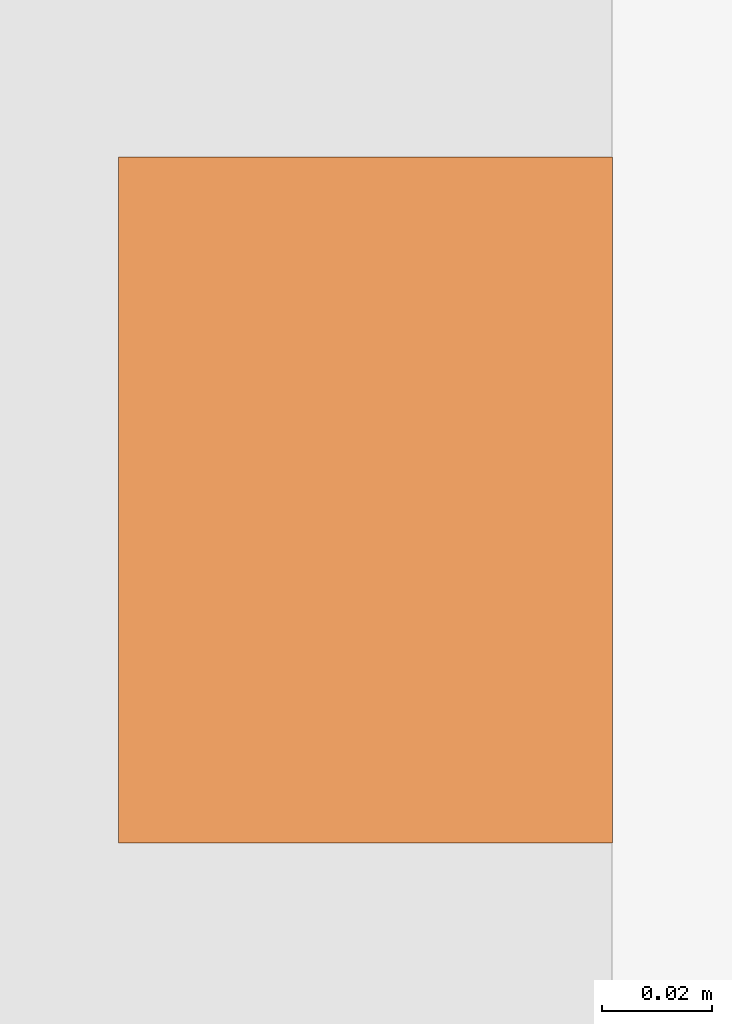
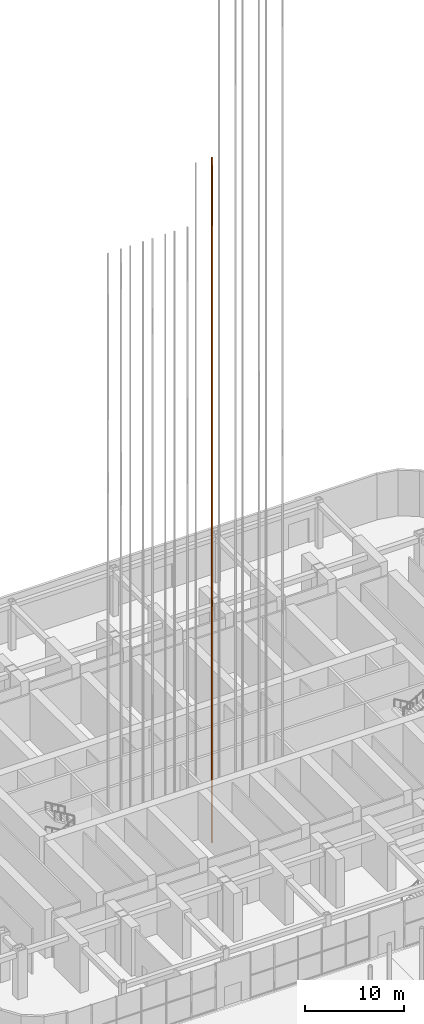
# One storey, part 51 of 57: 1 proxy.
"""IFC4 building model written with IfcOpenShell, lengths in metres."""

from ifc_helpers import new_model, si_unit, direction, frame, origin, origin_2d, place, context, subcontext, project, spatial, rectangle, extrude, material, element, save


model = new_model("IFC4")

# Units and contexts
model_context = context("Model", 3, precision=1e-05, world=origin(), true_north=direction((0.0, 1.0)))
body_context = subcontext(model_context, "Body", "Model", "MODEL_VIEW")
ifc_project = project(units=[si_unit("LENGTHUNIT", "METRE"), si_unit("AREAUNIT", "SQUARE_METRE"), si_unit("VOLUMEUNIT", "CUBIC_METRE"), si_unit("PLANEANGLEUNIT", "RADIAN"), si_unit("MASSUNIT", "GRAM", prefix="KILO")], contexts=[model_context])

# Site, building, storey
site_placement = place(None, origin())
site = spatial("IfcSite", under=ifc_project, at=site_placement, CompositionType="ELEMENT")
building_placement = place(site_placement, origin())
building = spatial("IfcBuilding", under=site, at=building_placement, Name="Orbita Commons", CompositionType="ELEMENT")
storey_placement = place(building_placement, origin())
storey = spatial("IfcBuildingStorey", under=building, at=storey_placement, Name="L00", CompositionType="ELEMENT", Elevation=0.0)

# Proxy
ifc_material = material(Name="Machined steel guide rail", Category="steel")
placement = place(storey_placement, frame((37.77490234375, 28.10009765625, 0.0), z_axis=(0.0, 0.0, 1.0), x_axis=(1.0, 0.0, 0.0)))
proxy_placement = place(placement, frame((0.955078125, 0.0, -3.199951171875)))
element("IfcBuildingElementProxy", 1, at=proxy_placement, inside=storey, material=ifc_material, Name="SH11 guide rail 2", ObjectType="GUIDE RAIL", PredefinedType="USERDEFINED", context=body_context, shape_type="SweptSolid", body=[
    extrude(rectangle(XDim=0.09, YDim=0.125, at=origin_2d()), origin(), (0.0, 0.0, 1.0), 84.85009765625),
])

save(model, "model.ifc")
